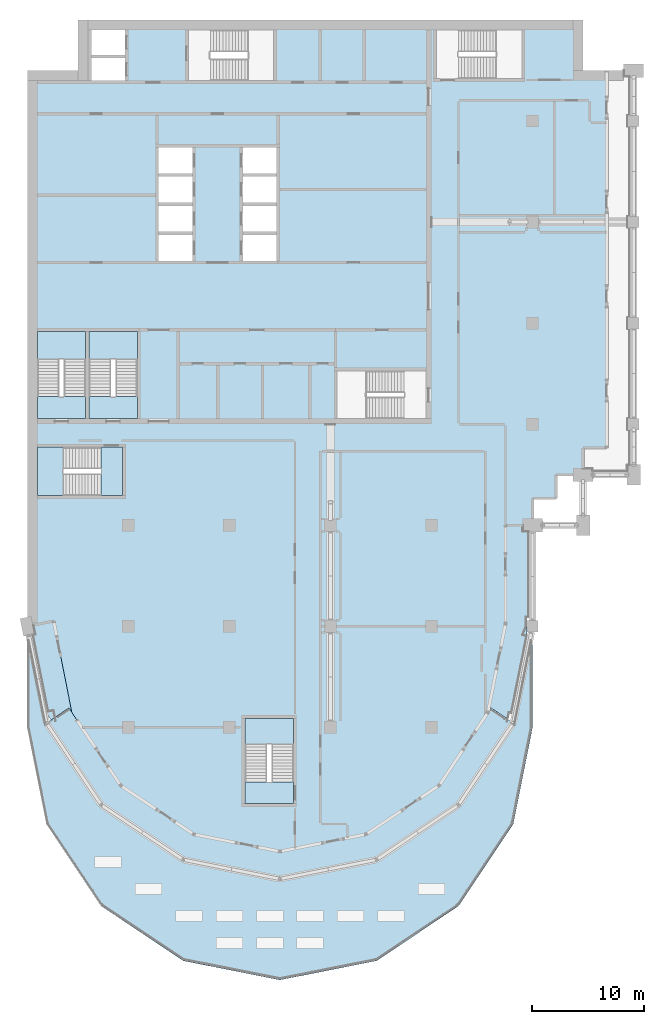
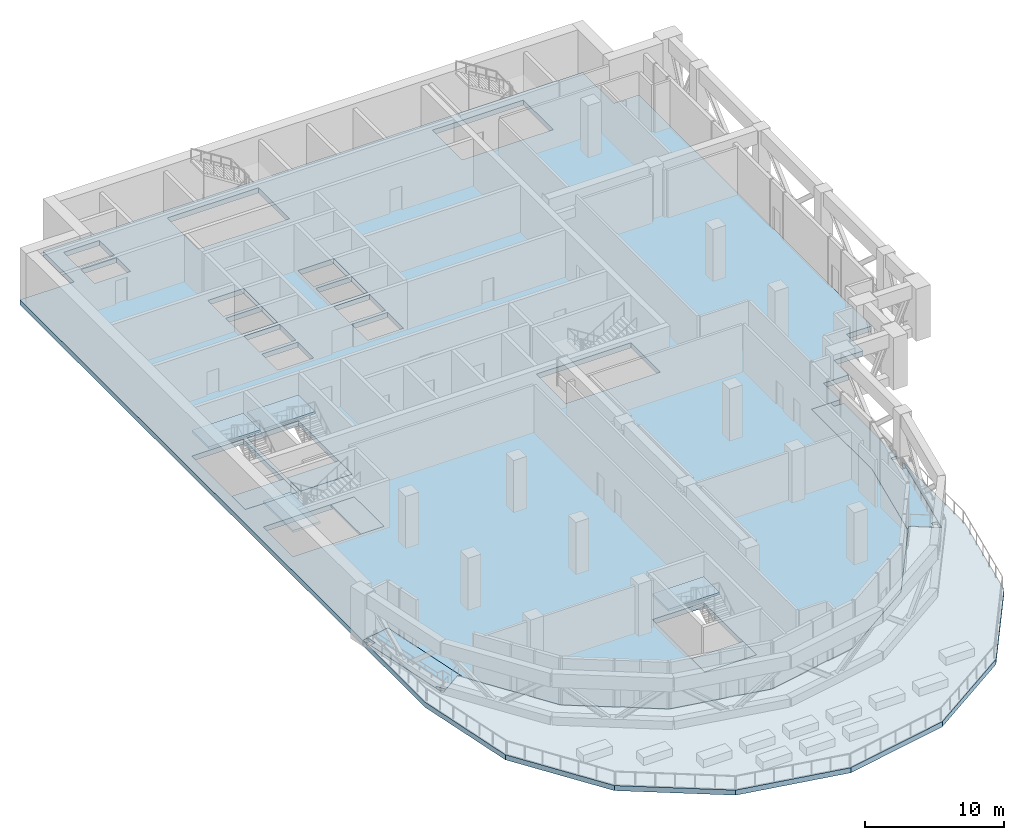
# One storey, part 4 of 16: 12 slabs, 4 elements without a shape of their own.
"""IFC4 building model written with IfcOpenShell, lengths in metres."""

from ifc_helpers import new_model, si_unit, direction, frame, origin, place, context, subcontext, project, spatial, polyline, outline, extrude, material, layer, layer_set, type_object, element, aggregate, save


model = new_model("IFC4")

# Units and contexts
model_context = context("Model", 3, precision=1e-05, world=origin(), true_north=direction((0.0, 1.0)))
body_context = subcontext(model_context, "Body", "Model", "MODEL_VIEW")
ifc_project = project(units=[si_unit("LENGTHUNIT", "METRE"), si_unit("AREAUNIT", "SQUARE_METRE"), si_unit("VOLUMEUNIT", "CUBIC_METRE"), si_unit("PLANEANGLEUNIT", "RADIAN"), si_unit("MASSUNIT", "GRAM", prefix="KILO")], contexts=[model_context])

# Site, building, storey
site_placement = place(None, origin())
site = spatial("IfcSite", under=ifc_project, at=site_placement, CompositionType="ELEMENT")
building_placement = place(site_placement, origin())
building = spatial("IfcBuilding", under=site, at=building_placement, Name="Hunhe Ridgeline Campus", CompositionType="ELEMENT")
storey_placement = place(building_placement, frame((0.0, 0.0, 227.199951171875)))
storey = spatial("IfcBuildingStorey", under=building, at=storey_placement, Name="L58", CompositionType="ELEMENT", Elevation=227.199951171875)

# Slabs
ifc_material = material(Name="Concrete C40", Category="concrete")
ifc_layer_1 = layer(ifc_material, 0.449951171875)
ifc_layer_set_1 = layer_set([ifc_layer_1], Name="Floor slab 450 Concrete C40")
slab_type_1 = type_object("IfcSlabType", Name="Floor slab 450 Concrete C40", PredefinedType="FLOOR", material=ifc_layer_set_1)
slab_1_placement = place(storey_placement, frame((0.0, 0.0, -0.449951171875)))
element("IfcSlab", 1, at=slab_1_placement, inside=storey, type_object=slab_type_1, Name="Floor slab L58 1", PredefinedType="FLOOR", context=body_context, shape_type="SweptSolid", body=[
    extrude(outline(polyline([(36.678955078125, 30.821044921875), (41.025634765625, 37.326416015625), (42.59912109375, 45.236572265625), (42.59912109375, 54.00048828125), (44.9990234375, 54.0009765625), (44.999267578125, 56.400634765625), (47.09912109375, 56.40087890625), (47.099609375, 58.5009765625), (49.4990234375, 58.5009765625), (49.49951171875, 60.90087890625), (51.59912109375, 60.90087890625), (51.59912109375, 94.5), (49.5, 94.5), (49.5, 99.0), (4.5, 99.0), (4.5, 94.5), (0.0, 94.5), (0.0, 45.0009765625), (2.354736328125, 45.46875), (3.974365234375, 37.326416015625), (8.321044921875, 30.821044921875), (14.826416015625, 26.474365234375), (22.5, 24.947998046875), (30.173583984375, 26.474365234375), (36.678955078125, 30.821044921875)]), holes=[polyline([(36.449951171875, 98.10009765625), (36.449951171875, 93.800048828125), (44.050048828125, 93.800048828125), (44.050048828125, 98.10009765625), (36.449951171875, 98.10009765625)]), polyline([(27.60009765625, 63.5), (35.5, 63.5), (35.5, 67.75), (27.60009765625, 67.75), (27.60009765625, 63.5)]), polyline([(19.39990234375, 36.800048828125), (19.39990234375, 29.199951171875), (23.699951171875, 29.199951171875), (23.699951171875, 36.800048828125), (19.39990234375, 36.800048828125)]), polyline([(22.199951171875, 87.64990234375), (19.199951171875, 87.64990234375), (19.199951171875, 85.35009765625), (22.199951171875, 85.35009765625), (22.199951171875, 87.64990234375)]), polyline([(22.199951171875, 77.550048828125), (22.199951171875, 79.85009765625), (19.199951171875, 79.85009765625), (19.199951171875, 77.550048828125), (22.199951171875, 77.550048828125)]), polyline([(19.199951171875, 85.050048828125), (19.199951171875, 82.75), (22.199951171875, 82.75), (22.199951171875, 85.050048828125), (19.199951171875, 85.050048828125)]), polyline([(19.199951171875, 80.14990234375), (22.199951171875, 80.14990234375), (22.199951171875, 82.449951171875), (19.199951171875, 82.449951171875), (19.199951171875, 80.14990234375)]), polyline([(14.35009765625, 98.10009765625), (14.35009765625, 93.60009765625), (21.949951171875, 93.60009765625), (21.949951171875, 98.10009765625), (14.35009765625, 98.10009765625)]), polyline([(14.699951171875, 87.64990234375), (11.699951171875, 87.64990234375), (11.699951171875, 85.35009765625), (14.699951171875, 85.35009765625), (14.699951171875, 87.64990234375)]), polyline([(14.699951171875, 77.550048828125), (14.699951171875, 79.85009765625), (11.699951171875, 79.85009765625), (11.699951171875, 77.550048828125), (14.699951171875, 77.550048828125)]), polyline([(11.699951171875, 85.050048828125), (11.699951171875, 82.75), (14.699951171875, 82.75), (14.699951171875, 85.050048828125), (11.699951171875, 85.050048828125)]), polyline([(11.699951171875, 80.14990234375), (14.699951171875, 80.14990234375), (14.699951171875, 82.449951171875), (11.699951171875, 82.449951171875), (11.699951171875, 80.14990234375)]), polyline([(9.800048828125, 63.5), (9.800048828125, 71.25), (5.5, 71.25), (5.5, 63.5), (9.800048828125, 63.5)]), polyline([(8.699951171875, 93.60009765625), (8.699951171875, 95.60009765625), (5.699951171875, 95.60009765625), (5.699951171875, 93.60009765625), (8.699951171875, 93.60009765625)]), polyline([(5.699951171875, 95.89990234375), (8.699951171875, 95.89990234375), (8.699951171875, 98.10009765625), (5.699951171875, 98.10009765625), (5.699951171875, 95.89990234375)]), polyline([(0.89990234375, 60.949951171875), (0.89990234375, 56.64990234375), (8.5, 56.64990234375), (8.5, 60.949951171875), (0.89990234375, 60.949951171875)]), polyline([(5.199951171875, 71.25), (0.89990234375, 71.25), (0.89990234375, 63.5), (5.199951171875, 63.5), (5.199951171875, 71.25)])]), origin(), (0.0, 0.0, 1.0), 0.449951171875),
])
ifc_layer_2 = layer(ifc_material, 0.25)
ifc_layer_set_2 = layer_set([ifc_layer_2], Name="Loggia slab 250 Concrete C40")
slab_type_2 = type_object("IfcSlabType", Name="Loggia slab 250 Concrete C40", PredefinedType="FLOOR", material=ifc_layer_set_2)
slab_2_placement = place(storey_placement, frame((0.0, 0.0, -0.25)))
element("IfcSlab", 2, at=slab_2_placement, inside=storey, type_object=slab_type_2, Name="Loggia slab 1", PredefinedType="FLOOR", context=body_context, shape_type="SweptSolid", body=[
    extrude(outline(polyline([(41.029052734375, 37.3388671875), (41.28759765625, 37.725830078125), (41.293212890625, 37.727783203125), (42.83837890625, 36.6962890625), (42.952880859375, 37.271728515625), (43.438232421875, 37.17529296875), (44.835693359375, 44.199951171875), (44.5, 44.199951171875), (44.5, 45.800048828125), (45.0, 45.800048828125), (45.0, 53.5), (44.199951171875, 53.5), (44.199951171875, 54.0), (42.60009765625, 54.0), (42.60009765625, 45.236328125), (41.029052734375, 37.3388671875)])), origin(), (0.0, 0.0, 1.0), 0.25),
])
slab_3_placement = place(storey_placement, frame((0.0, 0.0, -0.25)))
element("IfcSlab", 3, at=slab_3_placement, inside=storey, type_object=slab_type_2, Name="Loggia slab 2", PredefinedType="FLOOR", context=body_context, shape_type="SweptSolid", body=[
    extrude(outline(polyline([(2.125244140625, 36.672119140625), (3.706298828125, 37.7275390625), (3.71240234375, 37.725830078125), (3.970947265625, 37.3388671875), (2.35400390625, 45.46826171875), (0.490478515625, 45.09765625), (0.646484375, 44.31298828125), (0.160888671875, 44.21630859375), (1.548583984375, 37.241943359375), (1.68408203125, 37.33251953125), (2.125244140625, 36.672119140625)])), origin(), (0.0, 0.0, 1.0), 0.25),
])

# Stair, slab
stair_type = type_object("IfcStairType", Name="Reinforced concrete dog-leg stair 1950 Concrete C40", PredefinedType="HALF_TURN_STAIR", material=ifc_material)
stair_1_placement = place(storey_placement, origin())
stair_1 = element("IfcStair", 4, at=stair_1_placement, inside=storey, type_object=stair_type, Name="L58 S3", PredefinedType="HALF_TURN_STAIR")
ifc_layer_3 = layer(ifc_material, 0.199951171875)
ifc_layer_set_3 = layer_set([ifc_layer_3], Name="Reinforced concrete stair landing 200 Concrete C40")
slab_type_3 = type_object("IfcSlabType", Name="Reinforced concrete stair landing 200 Concrete C40", PredefinedType="LANDING", material=ifc_layer_set_3)
slab_4_placement = place(storey_placement, frame((0.0, 0.0, 2.10009765625)))
slab_4 = element("IfcSlab", 5, at=slab_4_placement, type_object=slab_type_3, Name="ST3 landing 1", PredefinedType="LANDING", context=body_context, shape_type="SweptSolid", body=[
    extrude(outline(polyline([(5.199951171875, 68.81005859375), (5.199951171875, 71.25), (0.89990234375, 71.25), (0.89990234375, 68.81005859375), (5.199951171875, 68.81005859375)])), origin(), (0.0, 0.0, 1.0), 0.199951171875),
])
aggregate(stair_1, [slab_4])

# Slab
slab_5_placement = place(storey_placement, frame((0.0, 0.0, -0.199951171875)))
element("IfcSlab", 6, at=slab_5_placement, inside=storey, type_object=slab_type_3, Name="L58 stair S3 floor landing", PredefinedType="LANDING", context=body_context, shape_type="SweptSolid", body=[
    extrude(outline(polyline([(5.199951171875, 63.5), (5.199951171875, 65.449951171875), (0.89990234375, 65.449951171875), (0.89990234375, 63.5), (5.199951171875, 63.5)])), origin(), (0.0, 0.0, 1.0), 0.199951171875),
])

# Stair, slab
stair_2_placement = place(storey_placement, origin())
stair_2 = element("IfcStair", 7, at=stair_2_placement, inside=storey, type_object=stair_type, Name="L58 S4", PredefinedType="HALF_TURN_STAIR")
slab_6_placement = place(storey_placement, frame((0.0, 0.0, 2.10009765625)))
slab_6 = element("IfcSlab", 8, at=slab_6_placement, type_object=slab_type_3, Name="ST4 landing 1", PredefinedType="LANDING", context=body_context, shape_type="SweptSolid", body=[
    extrude(outline(polyline([(9.800048828125, 68.81005859375), (9.800048828125, 71.25), (5.5, 71.25), (5.5, 68.81005859375), (9.800048828125, 68.81005859375)])), origin(), (0.0, 0.0, 1.0), 0.199951171875),
])
aggregate(stair_2, [slab_6])

# Slab
slab_7_placement = place(storey_placement, frame((0.0, 0.0, -0.199951171875)))
element("IfcSlab", 9, at=slab_7_placement, inside=storey, type_object=slab_type_3, Name="L58 stair S4 floor landing", PredefinedType="LANDING", context=body_context, shape_type="SweptSolid", body=[
    extrude(outline(polyline([(9.800048828125, 63.5), (9.800048828125, 65.449951171875), (5.5, 65.449951171875), (5.5, 63.5), (9.800048828125, 63.5)])), origin(), (0.0, 0.0, 1.0), 0.199951171875),
])

# Stair, slab
stair_3_placement = place(storey_placement, origin())
stair_3 = element("IfcStair", 10, at=stair_3_placement, inside=storey, type_object=stair_type, Name="L58 W3", PredefinedType="HALF_TURN_STAIR")
slab_8_placement = place(storey_placement, frame((0.0, 0.0, 2.10009765625)))
slab_8 = element("IfcSlab", 11, at=slab_8_placement, type_object=slab_type_3, Name="ST9 landing 1", PredefinedType="LANDING", context=body_context, shape_type="SweptSolid", body=[
    extrude(outline(polyline([(23.699951171875, 34.510009765625), (23.699951171875, 36.800048828125), (19.39990234375, 36.800048828125), (19.39990234375, 34.510009765625), (23.699951171875, 34.510009765625)])), origin(), (0.0, 0.0, 1.0), 0.199951171875),
])
aggregate(stair_3, [slab_8])

# Slab
slab_9_placement = place(storey_placement, frame((0.0, 0.0, -0.199951171875)))
element("IfcSlab", 12, at=slab_9_placement, inside=storey, type_object=slab_type_3, Name="L58 stair W3 floor landing", PredefinedType="LANDING", context=body_context, shape_type="SweptSolid", body=[
    extrude(outline(polyline([(23.699951171875, 29.199951171875), (23.699951171875, 31.14990234375), (19.39990234375, 31.14990234375), (19.39990234375, 29.199951171875), (23.699951171875, 29.199951171875)])), origin(), (0.0, 0.0, 1.0), 0.199951171875),
])

# Stair, slab
stair_4_placement = place(storey_placement, origin())
stair_4 = element("IfcStair", 13, at=stair_4_placement, inside=storey, type_object=stair_type, Name="L58 W2", PredefinedType="HALF_TURN_STAIR")
slab_10_placement = place(storey_placement, frame((0.0, 0.0, 2.10009765625)))
slab_10 = element("IfcSlab", 14, at=slab_10_placement, type_object=slab_type_3, Name="ST12 landing 1", PredefinedType="LANDING", context=body_context, shape_type="SweptSolid", body=[
    extrude(outline(polyline([(3.18994140625, 60.949951171875), (0.89990234375, 60.949951171875), (0.89990234375, 56.64990234375), (3.18994140625, 56.64990234375), (3.18994140625, 60.949951171875)])), origin(), (0.0, 0.0, 1.0), 0.199951171875),
])
aggregate(stair_4, [slab_10])

# Slabs
slab_11_placement = place(storey_placement, frame((0.0, 0.0, -0.199951171875)))
element("IfcSlab", 15, at=slab_11_placement, inside=storey, type_object=slab_type_3, Name="L58 stair W2 floor landing", PredefinedType="LANDING", context=body_context, shape_type="SweptSolid", body=[
    extrude(outline(polyline([(8.5, 60.949951171875), (6.550048828125, 60.949951171875), (6.550048828125, 56.64990234375), (8.5, 56.64990234375), (8.5, 60.949951171875)])), origin(), (0.0, 0.0, 1.0), 0.199951171875),
])
ifc_layer_4 = layer(ifc_material, 0.449951171875)
ifc_layer_set_4 = layer_set([ifc_layer_4], Name="Terrace slab 450 Concrete C40")
slab_type_4 = type_object("IfcSlabType", Name="Terrace slab 450 Concrete C40", PredefinedType="FLOOR", material=ifc_layer_set_4)
slab_12_placement = place(storey_placement, frame((0.0, 0.0, -0.449951171875)))
element("IfcSlab", 16, at=slab_12_placement, inside=storey, type_object=slab_type_4, Name="Terrace slab L58 1", PredefinedType="FLOOR", context=body_context, shape_type="SweptSolid", body=[
    extrude(outline(polyline([(0.0, 45.0), (0.0, 36.0), (1.712646484375, 27.3896484375), (6.590087890625, 20.090087890625), (13.8896484375, 15.212646484375), (22.5, 13.5), (31.1103515625, 15.212646484375), (38.409912109375, 20.090087890625), (43.287353515625, 27.3896484375), (45.0, 36.0), (45.0, 45.0), (43.287353515625, 36.390625), (41.291748046875, 37.722900390625), (36.6796875, 30.8203125), (30.174072265625, 26.4736328125), (22.5, 24.947021484375), (14.825927734375, 26.4736328125), (8.3203125, 30.8203125), (3.708251953125, 37.722900390625), (1.712646484375, 36.390625), (0.0, 45.0)])), origin(), (0.0, 0.0, 1.0), 0.449951171875),
])

save(model, "model.ifc")
